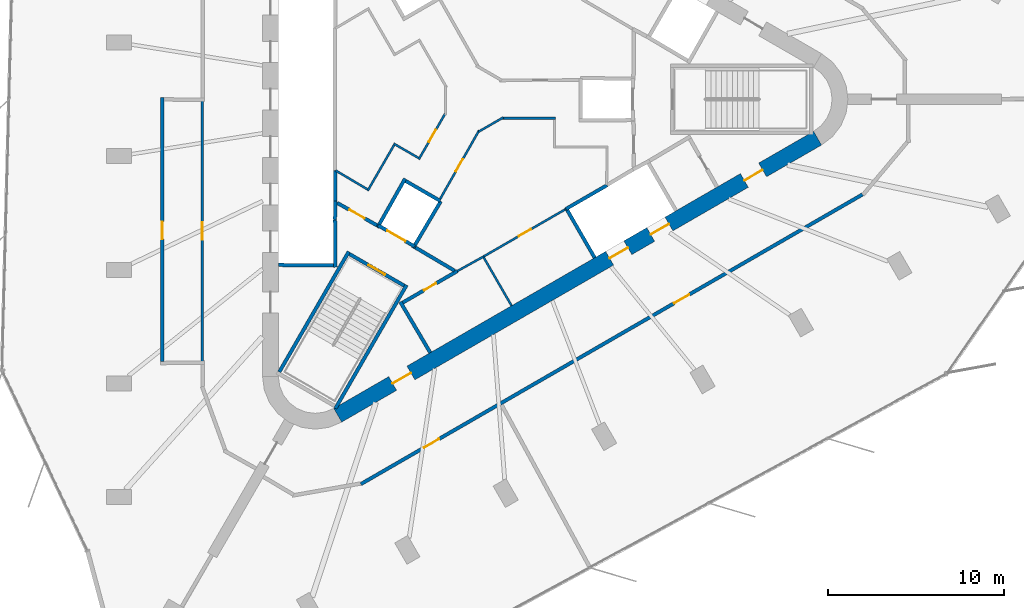
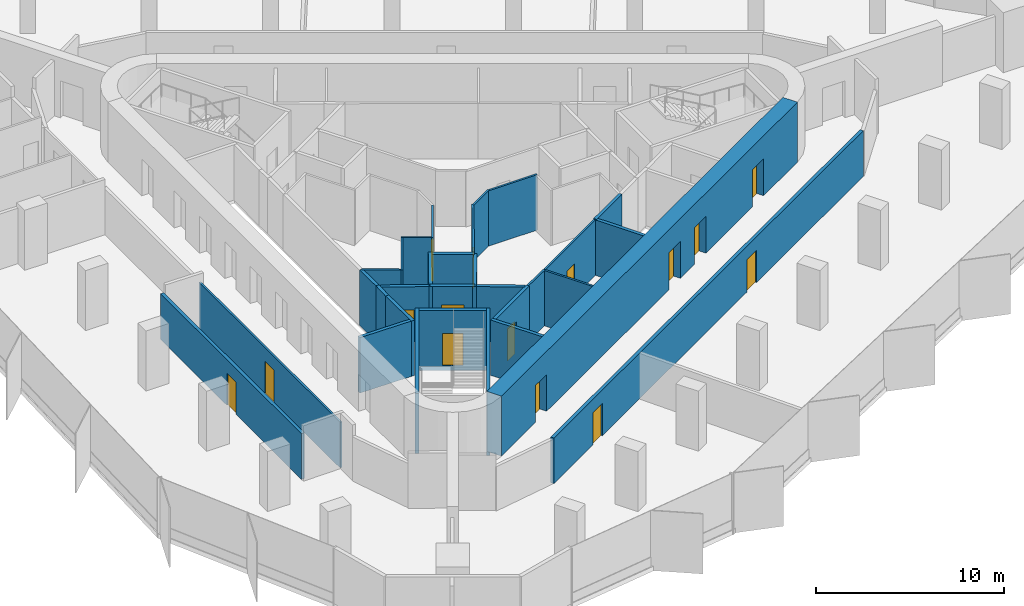
# One storey, part 8 of 13: 31 walls, 15 doors, 15 openings.
"""IFC4 building model written with IfcOpenShell, lengths in metres."""

from ifc_helpers import new_model, si_unit, direction, frame, frame_2d, origin, place, context, subcontext, project, spatial, rectangle, extrude, material, layer, layer_set, type_object, element, fill, save


model = new_model("IFC4")

# Units and contexts
model_context = context("Model", 3, precision=1e-05, world=origin(), true_north=direction((0.0, 1.0)))
body_context = subcontext(model_context, "Body", "Model", "MODEL_VIEW")
ifc_project = project(units=[si_unit("LENGTHUNIT", "METRE"), si_unit("AREAUNIT", "SQUARE_METRE"), si_unit("VOLUMEUNIT", "CUBIC_METRE"), si_unit("PLANEANGLEUNIT", "RADIAN"), si_unit("MASSUNIT", "GRAM", prefix="KILO")], contexts=[model_context])

# Site, building, storey
site_placement = place(None, origin())
site = spatial("IfcSite", under=ifc_project, at=site_placement, CompositionType="ELEMENT")
building_placement = place(site_placement, origin())
building = spatial("IfcBuilding", under=site, at=building_placement, Name="Tanit Gate Tower", CompositionType="ELEMENT")
storey_placement = place(building_placement, frame((0.0, 0.0, 326.0)))
storey = spatial("IfcBuildingStorey", under=building, at=storey_placement, Name="L73", CompositionType="ELEMENT", Elevation=326.0)

# Wall, openings, doors
ifc_material_1 = material(Name="Concrete C40/50", Category="concrete")
ifc_layer_1 = layer(ifc_material_1, 0.89990234375)
ifc_layer_set_1 = layer_set([ifc_layer_1], Name="CORE WALL 900 C40/50")
wall_type_1 = type_object("IfcWallType", Name="CORE WALL 900 C40/50", PredefinedType="SHEAR", material=ifc_layer_set_1)
wall_1_placement = place(storey_placement, frame((-7.824951171875, -17.969970703125, 0.0), z_axis=(0.0, 0.0, 1.0), x_axis=(0.866028369851, 0.499994862586, 0.0)))
wall_1 = element("IfcWall", 1, at=wall_1_placement, inside=storey, type_object=wall_type_1, Name="CORE WALL", PredefinedType="SHEAR", context=body_context, shape_type="SweptSolid", body=[
    extrude(rectangle(XDim=31.523193359375, YDim=0.89990234375, at=frame_2d((15.76171875, 0.0))), origin(), (0.0, 0.0, 1.0), 3.89990234375),
])
opening_1_placement = place(wall_1_placement, frame((17.861572265625, 0.0, 0.0)))
opening_1 = element("IfcOpeningElement", 2, at=opening_1_placement, cuts=wall_1, Name="Opening LDSV1-S20", PredefinedType="OPENING", context=body_context, shape_type="SweptSolid", body=[
    extrude(rectangle(XDim=1.199951171875, YDim=2.39990234375, at=frame_2d((0.60009765625, 1.199951171875))), frame((0.0, 0.4599609375, 0.0), z_axis=(0.0, -1.0, 0.0), x_axis=(1.0, 0.0, 0.0)), (0.0, 0.0, 1.0), 0.919921875),
])
opening_2_placement = place(wall_1_placement, frame((20.561767578125, 0.0, 0.0)))
opening_2 = element("IfcOpeningElement", 3, at=opening_2_placement, cuts=wall_1, Name="Opening LDSV2-S20", PredefinedType="OPENING", context=body_context, shape_type="SweptSolid", body=[
    extrude(rectangle(XDim=1.199951171875, YDim=2.39990234375, at=frame_2d((0.60009765625, 1.199951171875))), frame((0.0, 0.4599609375, 0.0), z_axis=(0.0, -1.0, 0.0), x_axis=(1.0, 0.0, 0.0)), (0.0, 0.0, 1.0), 0.919921875),
])
opening_3_placement = place(wall_1_placement, frame((26.711669921875, 0.0, 0.0)))
opening_3 = element("IfcOpeningElement", 4, at=opening_3_placement, cuts=wall_1, Name="Opening F12-S20-S1", PredefinedType="OPENING", context=body_context, shape_type="SweptSolid", body=[
    extrude(rectangle(XDim=1.199951171875, YDim=2.39990234375, at=frame_2d((0.60009765625, 1.199951171875))), frame((0.0, 0.4599609375, 0.0), z_axis=(0.0, -1.0, 0.0), x_axis=(1.0, 0.0, 0.0)), (0.0, 0.0, 1.0), 0.919921875),
])
opening_4_placement = place(wall_1_placement, frame((3.611572265625, 0.0, 0.0)))
opening_4 = element("IfcOpeningElement", 5, at=opening_4_placement, cuts=wall_1, Name="Opening F12-S20-FL3", PredefinedType="OPENING", context=body_context, shape_type="SweptSolid", body=[
    extrude(rectangle(XDim=1.199951171875, YDim=2.39990234375, at=frame_2d((0.60009765625, 1.199951171875))), frame((0.0, 0.4599609375, 0.0), z_axis=(0.0, -1.0, 0.0), x_axis=(1.0, 0.0, 0.0)), (0.0, 0.0, 1.0), 0.919921875),
])
ifc_material_2 = material(Name="Fire-rated steel door leaf", Category="steel")
door_type_1 = type_object("IfcDoorType", Name="INT-DOOR-FIRE-LOBBY-1200", OperationType="NOTDEFINED", PredefinedType="USERDEFINED", material=ifc_material_2)
door_1_placement = place(opening_3_placement, origin())
door_1 = element("IfcDoor", 6, at=door_1_placement, inside=storey, type_object=door_type_1, Name="Door F12-S20-S1", ObjectType="FIRE DOOR", OperationType="SINGLE_SWING_RIGHT", OverallHeight=2.39990234375, OverallWidth=1.199951171875, PredefinedType="USERDEFINED", context=body_context, shape_type="SweptSolid", body=[
    extrude(rectangle(XDim=1.199951171875, YDim=2.39990234375, at=frame_2d((0.60009765625, 1.199951171875))), frame((0.0, 0.02490234375, 0.0), z_axis=(0.0, -1.0, 0.0), x_axis=(1.0, 0.0, 0.0)), (0.0, 0.0, 1.0), 0.050048828125),
])
fill(opening_3, door_1)
door_2_placement = place(opening_4_placement, origin())
door_2 = element("IfcDoor", 7, at=door_2_placement, inside=storey, type_object=door_type_1, Name="Door F12-S20-FL3", ObjectType="FIRE DOOR", OperationType="SINGLE_SWING_RIGHT", OverallHeight=2.39990234375, OverallWidth=1.199951171875, PredefinedType="USERDEFINED", context=body_context, shape_type="SweptSolid", body=[
    extrude(rectangle(XDim=1.199951171875, YDim=2.39990234375, at=frame_2d((0.60009765625, 1.199951171875))), frame((0.0, 0.02490234375, 0.0), z_axis=(0.0, -1.0, 0.0), x_axis=(1.0, 0.0, 0.0)), (0.0, 0.0, 1.0), 0.050048828125),
])
fill(opening_4, door_2)
ifc_material_3 = material(Name="Stainless steel sliding door leaf", Category="steel")
door_type_2 = type_object("IfcDoorType", Name="INT-DOOR-LANDING-1200", OperationType="NOTDEFINED", PredefinedType="USERDEFINED", material=ifc_material_3)
door_3_placement = place(opening_1_placement, origin())
door_3 = element("IfcDoor", 8, at=door_3_placement, inside=storey, type_object=door_type_2, Name="Door LDSV1-S20", ObjectType="LANDING DOOR", OperationType="SLIDING_TO_LEFT", OverallHeight=2.39990234375, OverallWidth=1.199951171875, PredefinedType="USERDEFINED", context=body_context, shape_type="SweptSolid", body=[
    extrude(rectangle(XDim=1.199951171875, YDim=2.39990234375, at=frame_2d((0.60009765625, 1.199951171875))), frame((0.0, 0.02490234375, 0.0), z_axis=(0.0, -1.0, 0.0), x_axis=(1.0, 0.0, 0.0)), (0.0, 0.0, 1.0), 0.050048828125),
])
fill(opening_1, door_3)
door_4_placement = place(opening_2_placement, origin())
door_4 = element("IfcDoor", 9, at=door_4_placement, inside=storey, type_object=door_type_2, Name="Door LDSV2-S20", ObjectType="LANDING DOOR", OperationType="SLIDING_TO_LEFT", OverallHeight=2.39990234375, OverallWidth=1.199951171875, PredefinedType="USERDEFINED", context=body_context, shape_type="SweptSolid", body=[
    extrude(rectangle(XDim=1.199951171875, YDim=2.39990234375, at=frame_2d((0.60009765625, 1.199951171875))), frame((0.0, 0.02490234375, 0.0), z_axis=(0.0, -1.0, 0.0), x_axis=(1.0, 0.0, 0.0)), (0.0, 0.0, 1.0), 0.050048828125),
])
fill(opening_2, door_4)

# Wall
ifc_material_4 = material(Name="Fire-rated gypsum board partition")
ifc_layer_2 = layer(ifc_material_4, 0.199951171875)
ifc_layer_set_2 = layer_set([ifc_layer_2], Name="INT-WALL-COMPARTMENT")
wall_type_2 = type_object("IfcWallType", Name="INT-WALL-COMPARTMENT", PredefinedType="PARTITIONING", material=ifc_layer_set_2)
wall_2_placement = place(storey_placement, frame((-4.259765625, -11.523681640625, 0.0), z_axis=(0.0, 0.0, 1.0), x_axis=(0.507997497166, -0.861358544901, 0.0)))
element("IfcWall", 10, at=wall_2_placement, inside=storey, type_object=wall_type_2, Name="Wall Compartment W053", PredefinedType="PARTITIONING", context=body_context, shape_type="SweptSolid", body=[
    extrude(rectangle(XDim=3.350341796875, YDim=0.199951171875, at=frame_2d((1.67529296875, 0.0))), origin(), (0.0, 0.0, 1.0), 3.60009765625),
])

# Wall, opening, door
wall_3_placement = place(storey_placement, frame((-1.02392578125, -9.77099609375, 0.0), z_axis=(0.0, 0.0, 1.0), x_axis=(-0.866029903013, -0.499992207027, 0.0)))
wall_3 = element("IfcWall", 11, at=wall_3_placement, inside=storey, type_object=wall_type_2, Name="Wall Compartment W054", PredefinedType="PARTITIONING", context=body_context, shape_type="SweptSolid", body=[
    extrude(rectangle(XDim=3.57763671875, YDim=0.199951171875, at=frame_2d((1.788818359375, 0.0))), origin(), (0.0, 0.0, 1.0), 3.60009765625),
])
opening_5_placement = place(wall_3_placement, frame((1.388916015625, 0.0, 0.0)))
opening_5 = element("IfcOpeningElement", 12, at=opening_5_placement, cuts=wall_3, Name="Opening R08-S20-15", PredefinedType="OPENING", context=body_context, shape_type="SweptSolid", body=[
    extrude(rectangle(XDim=0.800048828125, YDim=2.10009765625, at=frame_2d((0.39990234375, 1.050048828125))), frame((0.0, 0.10986328125, 0.0), z_axis=(0.0, -1.0, 0.0), x_axis=(1.0, 0.0, 0.0)), (0.0, 0.0, 1.0), 0.219970703125),
])
ifc_material_5 = material(Name="Timber door leaf", Category="wood")
door_type_3 = type_object("IfcDoorType", Name="INT-DOOR-RISER-800", OperationType="NOTDEFINED", PredefinedType="USERDEFINED", material=ifc_material_5)
door_5_placement = place(opening_5_placement, origin())
door_5 = element("IfcDoor", 13, at=door_5_placement, inside=storey, type_object=door_type_3, Name="Door R08-S20-15", ObjectType="FIRE DOOR", OperationType="SINGLE_SWING_RIGHT", OverallHeight=2.10009765625, OverallWidth=0.800048828125, PredefinedType="USERDEFINED", context=body_context, shape_type="SweptSolid", body=[
    extrude(rectangle(XDim=0.800048828125, YDim=2.10009765625, at=frame_2d((0.39990234375, 1.050048828125))), frame((0.0, 0.02490234375, 0.0), z_axis=(0.0, -1.0, 0.0), x_axis=(1.0, 0.0, 0.0)), (0.0, 0.0, 1.0), 0.050048828125),
])
fill(opening_5, door_5)

# Wall
wall_4_placement = place(storey_placement, frame((-3.400634765625, -8.43017578125, 0.0), z_axis=(0.0, 0.0, 1.0), x_axis=(0.860630814782, -0.509229418482, 0.0)))
element("IfcWall", 14, at=wall_4_placement, inside=storey, type_object=wall_type_2, Name="Wall Compartment W063", PredefinedType="PARTITIONING", context=body_context, shape_type="SweptSolid", body=[
    extrude(rectangle(XDim=2.581787109375, YDim=0.199951171875, at=frame_2d((1.291015625, 0.0))), origin(), (0.0, 0.0, 1.0), 3.60009765625),
])

# Wall, opening, door
wall_5_placement = place(storey_placement, frame((-7.849365234375, -5.893798828125, 0.0), z_axis=(0.0, 0.0, 1.0), x_axis=(0.871363259478, -0.490638431059, 0.0)))
wall_5 = element("IfcWall", 15, at=wall_5_placement, inside=storey, type_object=wall_type_2, Name="Wall Compartment W064", PredefinedType="PARTITIONING", context=body_context, shape_type="SweptSolid", body=[
    extrude(rectangle(XDim=2.5810546875, YDim=0.199951171875, at=frame_2d((1.29052734375, 0.0))), origin(), (0.0, 0.0, 1.0), 3.60009765625),
])
opening_6_placement = place(wall_5_placement, frame((0.79052734375, 0.0, 0.0)))
opening_6 = element("IfcOpeningElement", 16, at=opening_6_placement, cuts=wall_5, Name="Opening F10-S20-08", PredefinedType="OPENING", context=body_context, shape_type="SweptSolid", body=[
    extrude(rectangle(XDim=1.0, YDim=2.10009765625, at=frame_2d((0.5, 1.050048828125))), frame((0.0, 0.10986328125, 0.0), z_axis=(0.0, -1.0, 0.0), x_axis=(1.0, 0.0, 0.0)), (0.0, 0.0, 1.0), 0.219970703125),
])
ifc_material_6 = material(Name="Fire-rated steel door leaf", Category="steel")
door_type_4 = type_object("IfcDoorType", Name="INT-DOOR-FIRE-1000", OperationType="NOTDEFINED", PredefinedType="USERDEFINED", material=ifc_material_6)
door_6_placement = place(opening_6_placement, origin())
door_6 = element("IfcDoor", 17, at=door_6_placement, inside=storey, type_object=door_type_4, Name="Door F10-S20-08", ObjectType="FIRE DOOR", OperationType="SINGLE_SWING_RIGHT", OverallHeight=2.10009765625, OverallWidth=1.0, PredefinedType="USERDEFINED", context=body_context, shape_type="SweptSolid", body=[
    extrude(rectangle(XDim=1.0, YDim=2.10009765625, at=frame_2d((0.5, 1.050048828125))), frame((0.0, 0.02490234375, 0.0), z_axis=(0.0, -1.0, 0.0), x_axis=(1.0, 0.0, 0.0)), (0.0, 0.0, 1.0), 0.050048828125),
])
fill(opening_6, door_6)

wall_6_placement = place(storey_placement, frame((-17.800048828125, 0.10009765625, 0.0), z_axis=(0.0, 0.0, 1.0), x_axis=(0.0, -1.0, 0.0)))
wall_6 = element("IfcWall", 18, at=wall_6_placement, inside=storey, type_object=wall_type_2, Name="Wall Compartment W085", PredefinedType="PARTITIONING", context=body_context, shape_type="SweptSolid", body=[
    extrude(rectangle(XDim=15.0, YDim=0.199951171875, at=frame_2d((7.5, 0.0))), origin(), (0.0, 0.0, 1.0), 2.969970703125),
])
opening_7_placement = place(wall_6_placement, frame((7.050048828125, 0.0, 0.0)))
opening_7 = element("IfcOpeningElement", 19, at=opening_7_placement, cuts=wall_6, Name="Opening F10-S20-23", PredefinedType="OPENING", context=body_context, shape_type="SweptSolid", body=[
    extrude(rectangle(XDim=1.0, YDim=2.10009765625, at=frame_2d((0.5, 1.050048828125))), frame((0.0, 0.10986328125, 0.0), z_axis=(0.0, -1.0, 0.0), x_axis=(1.0, 0.0, 0.0)), (0.0, 0.0, 1.0), 0.219970703125),
])
door_7_placement = place(opening_7_placement, origin())
door_7 = element("IfcDoor", 20, at=door_7_placement, inside=storey, type_object=door_type_4, Name="Door F10-S20-23", ObjectType="FIRE DOOR", OperationType="SINGLE_SWING_RIGHT", OverallHeight=2.10009765625, OverallWidth=1.0, PredefinedType="USERDEFINED", context=body_context, shape_type="SweptSolid", body=[
    extrude(rectangle(XDim=1.0, YDim=2.10009765625, at=frame_2d((0.5, 1.050048828125))), frame((0.0, 0.02490234375, 0.0), z_axis=(0.0, -1.0, 0.0), x_axis=(1.0, 0.0, 0.0)), (0.0, 0.0, 1.0), 0.050048828125),
])
fill(opening_7, door_7)

# Wall, openings, doors
wall_7_placement = place(storey_placement, frame((-6.505126953125, -21.884521484375, 0.0), z_axis=(0.0, 0.0, 1.0), x_axis=(0.86602457258, 0.500001439686, 0.0)))
wall_7 = element("IfcWall", 21, at=wall_7_placement, inside=storey, type_object=wall_type_2, Name="Wall Compartment W105", PredefinedType="PARTITIONING", context=body_context, shape_type="SweptSolid", body=[
    extrude(rectangle(XDim=32.95166015625, YDim=0.199951171875, at=frame_2d((16.475830078125, 0.0))), origin(), (0.0, 0.0, 1.0), 2.969970703125),
])
opening_8_placement = place(wall_7_placement, frame((20.569091796875, 0.0, 0.0)))
opening_8 = element("IfcOpeningElement", 22, at=opening_8_placement, cuts=wall_7, Name="Opening F10-S20-27", PredefinedType="OPENING", context=body_context, shape_type="SweptSolid", body=[
    extrude(rectangle(XDim=1.0, YDim=2.10009765625, at=frame_2d((0.5, 1.050048828125))), frame((0.0, 0.10986328125, 0.0), z_axis=(0.0, -1.0, 0.0), x_axis=(1.0, 0.0, 0.0)), (0.0, 0.0, 1.0), 0.219970703125),
])
opening_9_placement = place(wall_7_placement, frame((4.143310546875, 0.0, 0.0)))
opening_9 = element("IfcOpeningElement", 23, at=opening_9_placement, cuts=wall_7, Name="Opening F10-S20-28", PredefinedType="OPENING", context=body_context, shape_type="SweptSolid", body=[
    extrude(rectangle(XDim=1.0, YDim=2.10009765625, at=frame_2d((0.5, 1.050048828125))), frame((0.0, 0.10986328125, 0.0), z_axis=(0.0, -1.0, 0.0), x_axis=(1.0, 0.0, 0.0)), (0.0, 0.0, 1.0), 0.219970703125),
])
door_8_placement = place(opening_8_placement, origin())
door_8 = element("IfcDoor", 24, at=door_8_placement, inside=storey, type_object=door_type_4, Name="Door F10-S20-27", ObjectType="FIRE DOOR", OperationType="SINGLE_SWING_LEFT", OverallHeight=2.10009765625, OverallWidth=1.0, PredefinedType="USERDEFINED", context=body_context, shape_type="SweptSolid", body=[
    extrude(rectangle(XDim=1.0, YDim=2.10009765625, at=frame_2d((0.5, 1.050048828125))), frame((0.0, 0.02490234375, 0.0), z_axis=(0.0, -1.0, 0.0), x_axis=(1.0, 0.0, 0.0)), (0.0, 0.0, 1.0), 0.050048828125),
])
fill(opening_8, door_8)
door_9_placement = place(opening_9_placement, origin())
door_9 = element("IfcDoor", 25, at=door_9_placement, inside=storey, type_object=door_type_4, Name="Door F10-S20-28", ObjectType="FIRE DOOR", OperationType="SINGLE_SWING_LEFT", OverallHeight=2.10009765625, OverallWidth=1.0, PredefinedType="USERDEFINED", context=body_context, shape_type="SweptSolid", body=[
    extrude(rectangle(XDim=1.0, YDim=2.10009765625, at=frame_2d((0.5, 1.050048828125))), frame((0.0, 0.02490234375, 0.0), z_axis=(0.0, -1.0, 0.0), x_axis=(1.0, 0.0, 0.0)), (0.0, 0.0, 1.0), 0.050048828125),
])
fill(opening_9, door_9)

# Walls
ifc_material_7 = material(Name="Gypsum board partition")
ifc_layer_3 = layer(ifc_material_7, 0.1201171875)
ifc_layer_set_3 = layer_set([ifc_layer_3], Name="INT-WALL-PARTITION")
wall_type_3 = type_object("IfcWallType", Name="INT-WALL-PARTITION", PredefinedType="PARTITIONING", material=ifc_layer_set_3)
wall_8_placement = place(storey_placement, frame((2.066650390625, -11.739501953125, 0.0), z_axis=(0.0, 0.0, 1.0), x_axis=(-0.499984717929, 0.866034226713, 0.0)))
element("IfcWall", 26, at=wall_8_placement, inside=storey, type_object=wall_type_3, Name="Wall Partition W052", PredefinedType="PARTITIONING", context=body_context, shape_type="SweptSolid", body=[
    extrude(rectangle(XDim=3.25, YDim=0.1201171875, at=frame_2d((1.625, 0.0))), origin(), (0.0, 0.0, 1.0), 3.60009765625),
])
wall_9_placement = place(storey_placement, frame((-1.0234375, -9.77197265625, 0.0), z_axis=(0.0, 0.0, 1.0), x_axis=(0.874290944206, 0.485402250592, 0.0)))
element("IfcWall", 27, at=wall_9_placement, inside=storey, type_object=wall_type_3, Name="Wall Partition W055", PredefinedType="PARTITIONING", context=body_context, shape_type="SweptSolid", body=[
    extrude(rectangle(XDim=1.72265625, YDim=0.1201171875, at=frame_2d((0.861328125, 0.0))), origin(), (0.0, 0.0, 1.0), 3.60009765625),
])

# Wall, opening, door
wall_10_placement = place(storey_placement, frame((0.482666015625, -8.935791015625, 0.0), z_axis=(0.0, 0.0, 1.0), x_axis=(0.866028230842, 0.499995103361, 0.0)))
wall_10 = element("IfcWall", 28, at=wall_10_placement, inside=storey, type_object=wall_type_3, Name="Wall Partition W056", PredefinedType="PARTITIONING", context=body_context, shape_type="SweptSolid", body=[
    extrude(rectangle(XDim=5.39990234375, YDim=0.1201171875, at=frame_2d((2.699951171875, 0.0))), origin(), (0.0, 0.0, 1.0), 3.60009765625),
])
opening_10_placement = place(wall_10_placement, frame((2.300048828125, 0.0, 0.0)))
opening_10 = element("IfcOpeningElement", 29, at=opening_10_placement, cuts=wall_10, Name="Opening R08-S20-16", PredefinedType="OPENING", context=body_context, shape_type="SweptSolid", body=[
    extrude(rectangle(XDim=0.800048828125, YDim=2.10009765625, at=frame_2d((0.39990234375, 1.050048828125))), frame((0.0, 0.070068359375, 0.0), z_axis=(0.0, -1.0, 0.0), x_axis=(1.0, 0.0, 0.0)), (0.0, 0.0, 1.0), 0.14013671875),
])
door_10_placement = place(opening_10_placement, origin())
door_10 = element("IfcDoor", 30, at=door_10_placement, inside=storey, type_object=door_type_3, Name="Door R08-S20-16", ObjectType="FIRE DOOR", OperationType="SINGLE_SWING_LEFT", OverallHeight=2.10009765625, OverallWidth=0.800048828125, PredefinedType="USERDEFINED", context=body_context, shape_type="SweptSolid", body=[
    extrude(rectangle(XDim=0.800048828125, YDim=2.10009765625, at=frame_2d((0.39990234375, 1.050048828125))), frame((0.0, 0.02490234375, 0.0), z_axis=(0.0, -1.0, 0.0), x_axis=(1.0, 0.0, 0.0)), (0.0, 0.0, 1.0), 0.050048828125),
])
fill(opening_10, door_10)

wall_11_placement = place(storey_placement, frame((0.223876953125, -1.760986328125, 0.0), z_axis=(0.0, 0.0, 1.0), x_axis=(-0.494327216836, -0.869275907118, 0.0)))
wall_11 = element("IfcWall", 31, at=wall_11_placement, inside=storey, type_object=wall_type_3, Name="Wall Partition W068", PredefinedType="PARTITIONING", context=body_context, shape_type="SweptSolid", body=[
    extrude(rectangle(XDim=4.487060546875, YDim=0.1201171875, at=frame_2d((2.24365234375, 0.0))), origin(), (0.0, 0.0, 1.0), 3.60009765625),
])
opening_11_placement = place(wall_11_placement, frame((1.89453125, 0.0, 0.0)))
opening_11 = element("IfcOpeningElement", 32, at=opening_11_placement, cuts=wall_11, Name="Opening R08-S20-11", PredefinedType="OPENING", context=body_context, shape_type="SweptSolid", body=[
    extrude(rectangle(XDim=0.800048828125, YDim=2.10009765625, at=frame_2d((0.39990234375, 1.050048828125))), frame((0.0, 0.070068359375, 0.0), z_axis=(0.0, -1.0, 0.0), x_axis=(1.0, 0.0, 0.0)), (0.0, 0.0, 1.0), 0.14013671875),
])
door_11_placement = place(opening_11_placement, origin())
door_11 = element("IfcDoor", 33, at=door_11_placement, inside=storey, type_object=door_type_3, Name="Door R08-S20-11", ObjectType="FIRE DOOR", OperationType="SINGLE_SWING_LEFT", OverallHeight=2.10009765625, OverallWidth=0.800048828125, PredefinedType="USERDEFINED", context=body_context, shape_type="SweptSolid", body=[
    extrude(rectangle(XDim=0.800048828125, YDim=2.10009765625, at=frame_2d((0.39990234375, 1.050048828125))), frame((0.0, 0.02490234375, 0.0), z_axis=(0.0, -1.0, 0.0), x_axis=(1.0, 0.0, 0.0)), (0.0, 0.0, 1.0), 0.050048828125),
])
fill(opening_11, door_11)

# Walls
wall_12_placement = place(storey_placement, frame((1.60546875, -1.02294921875, 0.0), z_axis=(0.0, 0.0, 1.0), x_axis=(-0.866001581989, -0.50004125829, 0.0)))
element("IfcWall", 34, at=wall_12_placement, inside=storey, type_object=wall_type_3, Name="Wall Partition W069", PredefinedType="PARTITIONING", context=body_context, shape_type="SweptSolid", body=[
    extrude(rectangle(XDim=1.635009765625, YDim=0.1201171875, at=frame_2d((0.8173828125, 0.0))), origin(), (0.0, 0.0, 1.0), 3.60009765625),
])
wall_13_placement = place(storey_placement, frame((4.56005859375, -1.074951171875, 0.0), z_axis=(0.0, 0.0, 1.0), x_axis=(-1.0, 0.0, 0.0)))
element("IfcWall", 35, at=wall_13_placement, inside=storey, type_object=wall_type_3, Name="Wall Partition W070", PredefinedType="PARTITIONING", context=body_context, shape_type="SweptSolid", body=[
    extrude(rectangle(XDim=3.02587890625, YDim=0.1201171875, at=frame_2d((1.512939453125, 0.0))), origin(), (0.0, 0.0, 1.0), 3.60009765625),
])

# Wall, opening, door
wall_14_placement = place(storey_placement, frame((-3.2109375, -3.41162109375, 0.0), z_axis=(0.0, 0.0, 1.0), x_axis=(0.499983190554, 0.866035108505, 0.0)))
wall_14 = element("IfcWall", 36, at=wall_14_placement, inside=storey, type_object=wall_type_3, Name="Wall Partition W079", PredefinedType="PARTITIONING", context=body_context, shape_type="SweptSolid", body=[
    extrude(rectangle(XDim=3.02587890625, YDim=0.1201171875, at=frame_2d((1.512939453125, 0.0))), origin(), (0.0, 0.0, 1.0), 3.60009765625),
])
opening_12_placement = place(wall_14_placement, frame((1.142822265625, 0.0, 0.0)))
opening_12 = element("IfcOpeningElement", 37, at=opening_12_placement, cuts=wall_14, Name="Opening R08-S20-12", PredefinedType="OPENING", context=body_context, shape_type="SweptSolid", body=[
    extrude(rectangle(XDim=0.800048828125, YDim=2.10009765625, at=frame_2d((0.39990234375, 1.050048828125))), frame((0.0, 0.070068359375, 0.0), z_axis=(0.0, -1.0, 0.0), x_axis=(1.0, 0.0, 0.0)), (0.0, 0.0, 1.0), 0.14013671875),
])
door_12_placement = place(opening_12_placement, origin())
door_12 = element("IfcDoor", 38, at=door_12_placement, inside=storey, type_object=door_type_3, Name="Door R08-S20-12", ObjectType="FIRE DOOR", OperationType="SINGLE_SWING_LEFT", OverallHeight=2.10009765625, OverallWidth=0.800048828125, PredefinedType="USERDEFINED", context=body_context, shape_type="SweptSolid", body=[
    extrude(rectangle(XDim=0.800048828125, YDim=2.10009765625, at=frame_2d((0.39990234375, 1.050048828125))), frame((0.0, 0.02490234375, 0.0), z_axis=(0.0, -1.0, 0.0), x_axis=(1.0, 0.0, 0.0)), (0.0, 0.0, 1.0), 0.050048828125),
])
fill(opening_12, door_12)

# Walls
wall_15_placement = place(storey_placement, frame((-4.64013671875, -2.51708984375, 0.0), z_axis=(0.0, 0.0, 1.0), x_axis=(0.866015446554, -0.500017246033, 0.0)))
element("IfcWall", 39, at=wall_15_placement, inside=storey, type_object=wall_type_3, Name="Wall Partition W080", PredefinedType="PARTITIONING", context=body_context, shape_type="SweptSolid", body=[
    extrude(rectangle(XDim=1.625, YDim=0.1201171875, at=frame_2d((0.8125, 0.0))), origin(), (0.0, 0.0, 1.0), 3.60009765625),
])
wall_16_placement = place(storey_placement, frame((-6.1181640625, -5.197265625, 0.0), z_axis=(0.0, 0.0, 1.0), x_axis=(0.499990139034, 0.866031096941, 0.0)))
element("IfcWall", 40, at=wall_16_placement, inside=storey, type_object=wall_type_3, Name="Wall Partition W081", PredefinedType="PARTITIONING", context=body_context, shape_type="SweptSolid", body=[
    extrude(rectangle(XDim=3.0, YDim=0.1201171875, at=frame_2d((1.5, 0.0))), origin(), (0.0, 0.0, 1.0), 3.60009765625),
])
wall_17_placement = place(storey_placement, frame((-7.949951171875, -4.041015625, 0.0), z_axis=(0.0, 0.0, 1.0), x_axis=(0.860112457103, -0.510104461004, 0.0)))
element("IfcWall", 41, at=wall_17_placement, inside=storey, type_object=wall_type_3, Name="Wall Partition W082", PredefinedType="PARTITIONING", context=body_context, shape_type="SweptSolid", body=[
    extrude(rectangle(XDim=2.1044921875, YDim=0.1201171875, at=frame_2d((1.05224609375, 0.0))), origin(), (0.0, 0.0, 1.0), 3.60009765625),
])

# Wall, opening, door
wall_18_placement = place(storey_placement, frame((-15.530029296875, 0.0, 0.0), z_axis=(0.0, 0.0, 1.0), x_axis=(0.0, -1.0, 0.0)))
wall_18 = element("IfcWall", 42, at=wall_18_placement, inside=storey, type_object=wall_type_3, Name="Wall Partition W083", PredefinedType="PARTITIONING", context=body_context, shape_type="SweptSolid", body=[
    extrude(rectangle(XDim=15.0, YDim=0.1201171875, at=frame_2d((7.5, 0.0))), origin(), (0.0, 0.0, 1.0), 2.969970703125),
])
opening_13_placement = place(wall_18_placement, frame((7.0, 0.0, 0.0)))
opening_13 = element("IfcOpeningElement", 43, at=opening_13_placement, cuts=wall_18, Name="Opening D10-S20-18", PredefinedType="OPENING", context=body_context, shape_type="SweptSolid", body=[
    extrude(rectangle(XDim=1.0, YDim=2.10009765625, at=frame_2d((0.5, 1.050048828125))), frame((0.0, 0.070068359375, 0.0), z_axis=(0.0, -1.0, 0.0), x_axis=(1.0, 0.0, 0.0)), (0.0, 0.0, 1.0), 0.14013671875),
])
ifc_material_8 = material(Name="Timber door leaf", Category="wood")
door_type_5 = type_object("IfcDoorType", Name="INT-DOOR-SINGLE-1000", OperationType="NOTDEFINED", PredefinedType="NOTDEFINED", material=ifc_material_8)
door_13_placement = place(opening_13_placement, origin())
door_13 = element("IfcDoor", 44, at=door_13_placement, inside=storey, type_object=door_type_5, Name="Door D10-S20-18", OperationType="SINGLE_SWING_LEFT", OverallHeight=2.10009765625, OverallWidth=1.0, PredefinedType="NOTDEFINED", context=body_context, shape_type="SweptSolid", body=[
    extrude(rectangle(XDim=1.0, YDim=2.10009765625, at=frame_2d((0.5, 1.050048828125))), frame((0.0, 0.02490234375, 0.0), z_axis=(0.0, -1.0, 0.0), x_axis=(1.0, 0.0, 0.0)), (0.0, 0.0, 1.0), 0.050048828125),
])
fill(opening_13, door_13)

# Walls
ifc_material_9 = material(Name="Gypsum shaft wall system")
ifc_layer_4 = layer(ifc_material_9, 0.199951171875)
ifc_layer_set_4 = layer_set([ifc_layer_4], Name="INT-WALL-SHAFT")
wall_type_4 = type_object("IfcWallType", Name="INT-WALL-SHAFT", PredefinedType="PLUMBINGWALL", material=ifc_layer_set_4)
wall_19_placement = place(storey_placement, frame((-7.949951171875, -5.7724609375, 0.0), z_axis=(0.0, 0.0, 1.0), x_axis=(-0.030803413295, -0.999525462272, 0.0)))
element("IfcWall", 45, at=wall_19_placement, inside=storey, type_object=wall_type_4, Name="Wall Shaft W008", PredefinedType="PLUMBINGWALL", context=body_context, shape_type="SweptSolid", body=[
    extrude(rectangle(XDim=1.077880859375, YDim=0.199951171875, at=frame_2d((0.5390625, 0.0))), origin(), (0.0, 0.0, 1.0), 3.60009765625),
])
wall_20_placement = place(storey_placement, frame((-7.971435546875, -4.050048828125, 0.0), z_axis=(0.0, 0.0, 1.0), x_axis=(0.012042535896, -0.999927486035, 0.0)))
element("IfcWall", 46, at=wall_20_placement, inside=storey, type_object=wall_type_4, Name="Wall Shaft W009", PredefinedType="PLUMBINGWALL", context=body_context, shape_type="SweptSolid", body=[
    extrude(rectangle(XDim=1.844970703125, YDim=0.199951171875, at=frame_2d((0.92236328125, 0.0))), origin(), (0.0, 0.0, 1.0), 3.60009765625),
])
wall_21_placement = place(storey_placement, frame((-7.97900390625, -6.85009765625, 0.0), z_axis=(0.0, 0.0, 1.0), x_axis=(0.011121475088, -0.999938154483, 0.0)))
element("IfcWall", 47, at=wall_21_placement, inside=storey, type_object=wall_type_4, Name="Wall Shaft W010", PredefinedType="PLUMBINGWALL", context=body_context, shape_type="SweptSolid", body=[
    extrude(rectangle(XDim=2.7001953125, YDim=0.199951171875, at=frame_2d((1.35009765625, 0.0))), origin(), (0.0, 0.0, 1.0), 3.60009765625),
])
wall_22_placement = place(storey_placement, frame((-8.050048828125, -9.448974609375, 0.0), z_axis=(0.0, 0.0, 1.0), x_axis=(-0.999957467379, 0.009222983926, 0.0)))
element("IfcWall", 48, at=wall_22_placement, inside=storey, type_object=wall_type_4, Name="Wall Shaft W011", PredefinedType="PLUMBINGWALL", context=body_context, shape_type="SweptSolid", body=[
    extrude(rectangle(XDim=3.150146484375, YDim=0.199951171875, at=frame_2d((1.5751953125, 0.0))), origin(), (0.0, 0.0, 1.0), 3.60009765625),
])
wall_23_placement = place(storey_placement, frame((6.795166015625, -9.009521484375, 0.0), z_axis=(0.0, 0.0, 1.0), x_axis=(-0.499984717929, 0.866034226713, 0.0)))
element("IfcWall", 49, at=wall_23_placement, inside=storey, type_object=wall_type_4, Name="Wall Shaft W015", PredefinedType="PLUMBINGWALL", context=body_context, shape_type="SweptSolid", body=[
    extrude(rectangle(XDim=3.25, YDim=0.199951171875, at=frame_2d((1.625, 0.0))), origin(), (0.0, 0.0, 1.0), 3.60009765625),
])
wall_24_placement = place(storey_placement, frame((5.1591796875, -6.23583984375, 0.0), z_axis=(0.0, 0.0, 1.0), x_axis=(0.866036505625, 0.499980770555, 0.0)))
element("IfcWall", 50, at=wall_24_placement, inside=storey, type_object=wall_type_4, Name="Wall Shaft W016", PredefinedType="PLUMBINGWALL", context=body_context, shape_type="SweptSolid", body=[
    extrude(rectangle(XDim=2.69970703125, YDim=0.199951171875, at=frame_2d((1.349853515625, 0.0))), origin(), (0.0, 0.0, 1.0), 3.60009765625),
])

# Wall, opening, door
wall_25_placement = place(storey_placement, frame((-3.44580078125, -8.3681640625, 0.0), z_axis=(0.0, 0.0, 1.0), x_axis=(-0.866024647952, 0.500001309137, 0.0)))
wall_25 = element("IfcWall", 51, at=wall_25_placement, inside=storey, type_object=wall_type_4, Name="Wall Shaft W040", PredefinedType="PLUMBINGWALL", context=body_context, shape_type="SweptSolid", body=[
    extrude(rectangle(XDim=2.39990234375, YDim=0.199951171875, at=frame_2d((1.199951171875, 0.0))), origin(), (0.0, 0.0, 1.0), 3.60009765625),
])
opening_14_placement = place(wall_25_placement, frame((0.60009765625, 0.0, 0.0)))
opening_14 = element("IfcOpeningElement", 52, at=opening_14_placement, cuts=wall_25, Name="Opening LDFL3-L73", PredefinedType="OPENING", context=body_context, shape_type="SweptSolid", body=[
    extrude(rectangle(XDim=1.199951171875, YDim=2.39990234375, at=frame_2d((0.60009765625, 1.199951171875))), frame((0.0, 0.10986328125, 0.0), z_axis=(0.0, -1.0, 0.0), x_axis=(1.0, 0.0, 0.0)), (0.0, 0.0, 1.0), 0.219970703125),
])
door_14_placement = place(opening_14_placement, origin())
door_14 = element("IfcDoor", 53, at=door_14_placement, inside=storey, type_object=door_type_2, Name="Door LDFL3-L73", ObjectType="LANDING DOOR", OperationType="SLIDING_TO_LEFT", OverallHeight=2.39990234375, OverallWidth=1.199951171875, PredefinedType="USERDEFINED", context=body_context, shape_type="SweptSolid", body=[
    extrude(rectangle(XDim=1.199951171875, YDim=2.39990234375, at=frame_2d((0.60009765625, 1.199951171875))), frame((0.0, 0.02490234375, 0.0), z_axis=(0.0, -1.0, 0.0), x_axis=(1.0, 0.0, 0.0)), (0.0, 0.0, 1.0), 0.050048828125),
])
fill(opening_14, door_14)

# Walls
wall_26_placement = place(storey_placement, frame((-1.960693359375, -5.796142578125, 0.0), z_axis=(0.0, 0.0, 1.0), x_axis=(-0.508647062354, -0.860975125052, 0.0)))
element("IfcWall", 54, at=wall_26_placement, inside=storey, type_object=wall_type_4, Name="Wall Shaft W041", PredefinedType="PLUMBINGWALL", context=body_context, shape_type="SweptSolid", body=[
    extrude(rectangle(XDim=3.10009765625, YDim=0.199951171875, at=frame_2d((1.550048828125, 0.0))), origin(), (0.0, 0.0, 1.0), 3.60009765625),
])
wall_27_placement = place(storey_placement, frame((-3.989990234375, -4.509033203125, 0.0), z_axis=(0.0, 0.0, 1.0), x_axis=(-0.491358283181, -0.870957540612, 0.0)))
element("IfcWall", 55, at=wall_27_placement, inside=storey, type_object=wall_type_4, Name="Wall Shaft W042", PredefinedType="PLUMBINGWALL", context=body_context, shape_type="SweptSolid", body=[
    extrude(rectangle(XDim=3.200439453125, YDim=0.199951171875, at=frame_2d((1.60009765625, 0.0))), origin(), (0.0, 0.0, 1.0), 3.60009765625),
])
wall_28_placement = place(storey_placement, frame((-3.95263671875, -4.646240234375, 0.0), z_axis=(0.0, 0.0, 1.0), x_axis=(0.866065302921, -0.4999308863, 0.0)))
element("IfcWall", 56, at=wall_28_placement, inside=storey, type_object=wall_type_4, Name="Wall Shaft W043", PredefinedType="PLUMBINGWALL", context=body_context, shape_type="SweptSolid", body=[
    extrude(rectangle(XDim=2.264404296875, YDim=0.199951171875, at=frame_2d((1.13232421875, 0.0))), origin(), (0.0, 0.0, 1.0), 3.60009765625),
])
ifc_material_10 = material(Name="Concrete C40/50", Category="concrete")
ifc_layer_5 = layer(ifc_material_10, 0.199951171875)
ifc_layer_set_5 = layer_set([ifc_layer_5], Name="INT-WALL-STAIR")
wall_type_5 = type_object("IfcWallType", Name="INT-WALL-STAIR", PredefinedType="SHEAR", material=ifc_layer_set_5)
wall_29_placement = place(storey_placement, frame((-3.904541015625, -10.56298828125, -0.300048828125), z_axis=(0.0, 0.0, 1.0), x_axis=(-0.500012932018, -0.866017937352, 0.0)))
element("IfcWall", 57, at=wall_29_placement, inside=storey, type_object=wall_type_5, Name="Wall Stair W036", PredefinedType="SHEAR", context=body_context, shape_type="SweptSolid", body=[
    extrude(rectangle(XDim=8.099853515625, YDim=0.199951171875, at=frame_2d((4.0498046875, 0.0))), origin(), (0.0, 0.0, 1.0), 3.900146484375),
])
wall_30_placement = place(storey_placement, frame((-7.195556640625, -8.662841796875, -0.300048828125), z_axis=(0.0, 0.0, 1.0), x_axis=(-0.499997992926, -0.866026562566, 0.0)))
element("IfcWall", 58, at=wall_30_placement, inside=storey, type_object=wall_type_5, Name="Wall Stair W038", PredefinedType="SHEAR", context=body_context, shape_type="SweptSolid", body=[
    extrude(rectangle(XDim=7.89990234375, YDim=0.199951171875, at=frame_2d((3.949951171875, 0.0))), origin(), (0.0, 0.0, 1.0), 3.900146484375),
])

# Wall, opening, door
wall_31_placement = place(storey_placement, frame((-4.041259765625, -10.599365234375, -0.300048828125), z_axis=(0.0, 0.0, 1.0), x_axis=(-0.866047807691, 0.499961193289, 0.0)))
wall_31 = element("IfcWall", 59, at=wall_31_placement, inside=storey, type_object=wall_type_5, Name="Wall Stair W039", PredefinedType="SHEAR", context=body_context, shape_type="SweptSolid", body=[
    extrude(rectangle(XDim=3.599853515625, YDim=0.199951171875, at=frame_2d((1.7998046875, 0.0))), origin(), (0.0, 0.0, 1.0), 3.900146484375),
])
opening_15_placement = place(wall_31_placement, frame((1.25, 0.0, 0.300048828125)))
opening_15 = element("IfcOpeningElement", 60, at=opening_15_placement, cuts=wall_31, Name="Opening S11-S20-07", PredefinedType="OPENING", context=body_context, shape_type="SweptSolid", body=[
    extrude(rectangle(XDim=1.10009765625, YDim=2.10009765625, at=frame_2d((0.550048828125, 1.050048828125))), frame((0.0, 0.10986328125, 0.0), z_axis=(0.0, -1.0, 0.0), x_axis=(1.0, 0.0, 0.0)), (0.0, 0.0, 1.0), 0.219970703125),
])
ifc_material_11 = material(Name="Timber door leaf", Category="wood")
door_type_6 = type_object("IfcDoorType", Name="INT-DOOR-STAIR-1100", OperationType="NOTDEFINED", PredefinedType="USERDEFINED", material=ifc_material_11)
door_15_placement = place(opening_15_placement, origin())
door_15 = element("IfcDoor", 61, at=door_15_placement, inside=storey, type_object=door_type_6, Name="Door S11-S20-07", ObjectType="FIRE DOOR", OperationType="SINGLE_SWING_LEFT", OverallHeight=2.10009765625, OverallWidth=1.10009765625, PredefinedType="USERDEFINED", context=body_context, shape_type="SweptSolid", body=[
    extrude(rectangle(XDim=1.10009765625, YDim=2.10009765625, at=frame_2d((0.550048828125, 1.050048828125))), frame((0.0, 0.02490234375, 0.0), z_axis=(0.0, -1.0, 0.0), x_axis=(1.0, 0.0, 0.0)), (0.0, 0.0, 1.0), 0.050048828125),
])
fill(opening_15, door_15)

save(model, "model.ifc")
